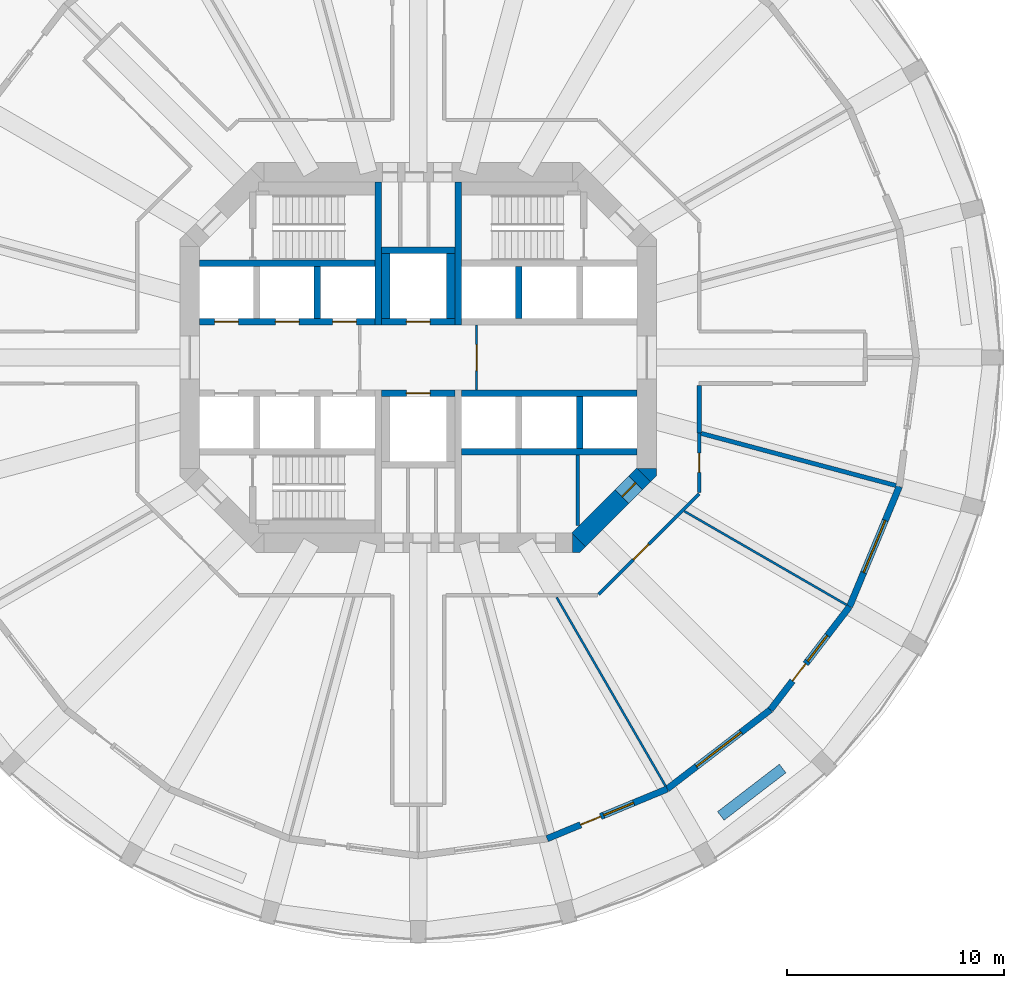
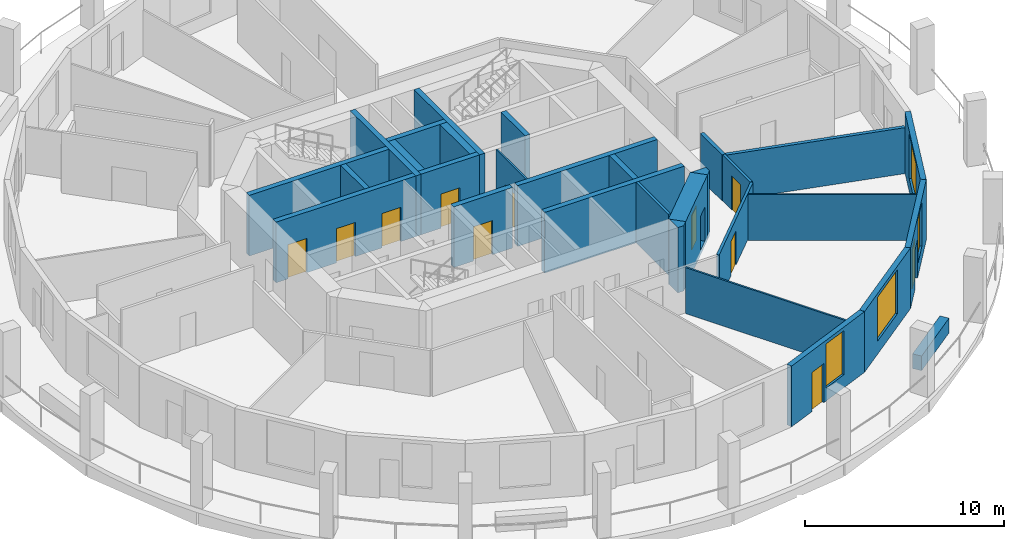
# One storey, part 4 of 9: 30 walls, 11 doors, 4 windows, 15 openings.
"""IFC4 building model written with IfcOpenShell, lengths in metres."""

from ifc_helpers import new_model, si_unit, direction, frame, frame_2d, origin, place, context, subcontext, project, spatial, polyline, rectangle, outline, extrude, material, layer, layer_set, type_object, element, fill, save


model = new_model("IFC4")

# Units and contexts
model_context = context("Model", 3, precision=1e-05, world=origin(), true_north=direction((0.0, 1.0)))
body_context = subcontext(model_context, "Body", "Model", "MODEL_VIEW")
ifc_project = project(units=[si_unit("LENGTHUNIT", "METRE"), si_unit("AREAUNIT", "SQUARE_METRE"), si_unit("VOLUMEUNIT", "CUBIC_METRE"), si_unit("PLANEANGLEUNIT", "RADIAN"), si_unit("MASSUNIT", "GRAM", prefix="KILO")], contexts=[model_context])

# Site, building, storey
site_placement = place(None, origin())
site = spatial("IfcSite", under=ifc_project, at=site_placement, CompositionType="ELEMENT")
building_placement = place(site_placement, origin())
building = spatial("IfcBuilding", under=site, at=building_placement, Name="Torre Triforio", CompositionType="ELEMENT")
storey_placement = place(building_placement, frame((0.0, 0.0, 71.0)))
storey = spatial("IfcBuildingStorey", under=building, at=storey_placement, Name="L15", CompositionType="ELEMENT", Elevation=71.0)

# Walls
ifc_material_1 = material(Name="Concrete C60", Category="concrete")
ifc_layer_1 = layer(ifc_material_1, 0.300048828125)
ifc_layer_set_1 = layer_set([ifc_layer_1], Name="Concrete C60")
wall_type_1 = type_object("IfcWallType", Name="Core wall 300 mm C60 EI 120", PredefinedType="SHEAR", material=ifc_layer_set_1)
for number, where, z_axis, x_axis, name in (
    (1, (-1.85009765625, 1.5, 0.0), (0.0, 0.0, 1.0), (0.0, 1.0, 0.0), "Core wall"),
    (2, (1.85009765625, 1.5, 0.0), (0.0, 0.0, 1.0), (0.0, 1.0, 0.0), "Core wall"),
):
    element("IfcWall", number, at=place(storey_placement, frame(where, z_axis=z_axis, x_axis=x_axis)), inside=storey, type_object=wall_type_1, Name=name, PredefinedType="SHEAR", context=body_context, shape_type="SweptSolid", body=[
        extrude(rectangle(XDim=6.60009765625, YDim=0.300048828125, at=frame_2d((3.300048828125, 0.0))), origin(), (0.0, 0.0, 1.0), 3.719970703125),
    ])

# Wall, opening, door
ifc_layer_2 = layer(ifc_material_1, 0.89990234375)
ifc_layer_set_2 = layer_set([ifc_layer_2], Name="Concrete C60")
wall_type_2 = type_object("IfcWallType", Name="Core wall 900 mm C60 EI 120", PredefinedType="SHEAR", material=ifc_layer_set_2)
wall_1_placement = place(storey_placement, frame((10.418212890625, -5.418212890625, -0.280029296875), z_axis=(0.0, 0.0, 1.0), x_axis=(-0.707106781187, -0.707106781187, 0.0)))
wall_1 = element("IfcWall", 3, at=wall_1_placement, inside=storey, type_object=wall_type_2, Name="Core wall", PredefinedType="SHEAR", context=body_context, shape_type="SweptSolid", body=[
    extrude(rectangle(XDim=4.24267578125, YDim=0.89990234375, at=frame_2d((2.121337890625, 0.0))), origin(), (0.0, 0.0, 1.0), 4.0),
])
opening_1_placement = place(wall_1_placement, frame((0.52001953125, 0.0, 0.280029296875)))
opening_1 = element("IfcOpeningElement", 4, at=opening_1_placement, cuts=wall_1, Name="Opening SE-03", PredefinedType="OPENING", context=body_context, shape_type="SweptSolid", body=[
    extrude(rectangle(XDim=0.89990234375, YDim=2.10009765625, at=frame_2d((0.449951171875, 1.050048828125))), frame((0.0, 0.4599609375, 0.0), z_axis=(0.0, -1.0, 0.0), x_axis=(1.0, 0.0, 0.0)), (0.0, 0.0, 1.0), 0.919921875),
])
ifc_material_2 = material(Name="Hollow metal fire door leaf")
door_type_1 = type_object("IfcDoorType", Name="Room door 900 x 2100 EI 60", OperationType="NOTDEFINED", PredefinedType="DOOR", material=ifc_material_2)
door_1_placement = place(opening_1_placement, origin())
door_1 = element("IfcDoor", 5, at=door_1_placement, inside=storey, type_object=door_type_1, Name="Core door SE-03", OperationType="SINGLE_SWING_RIGHT", OverallHeight=2.10009765625, OverallWidth=0.89990234375, PredefinedType="DOOR", context=body_context, shape_type="SweptSolid", body=[
    extrude(rectangle(XDim=0.89990234375, YDim=2.10009765625, at=frame_2d((0.449951171875, 1.050048828125))), frame((0.0, 0.02490234375, 0.0), z_axis=(0.0, -1.0, 0.0), x_axis=(1.0, 0.0, 0.0)), (0.0, 0.0, 1.0), 0.050048828125),
])
fill(opening_1, door_1)

# Walls
wall_2_placement = place(storey_placement, frame((0.0, 0.0, -0.280029296875)))
element("IfcWall", 6, at=wall_2_placement, inside=storey, type_object=wall_type_2, Name="Core wall", PredefinedType="SHEAR", context=body_context, shape_type="SweptSolid", body=[
    extrude(outline(polyline([(7.472900390625, -9.0), (7.1298828125, -9.0), (7.1298828125, -8.1298828125), (7.736328125, -8.736328125), (7.472900390625, -9.0)])), origin(), (0.0, 0.0, 1.0), 4.0),
])
wall_3_placement = place(storey_placement, frame((0.0, 0.0, -0.280029296875)))
element("IfcWall", 7, at=wall_3_placement, inside=storey, type_object=wall_type_2, Name="Core wall", PredefinedType="SHEAR", context=body_context, shape_type="SweptSolid", body=[
    extrude(outline(polyline([(11.0, -5.472900390625), (10.736328125, -5.736328125), (10.1298828125, -5.1298828125), (11.0, -5.1298828125), (11.0, -5.472900390625)])), origin(), (0.0, 0.0, 1.0), 4.0),
])

# Wall, opening, door
ifc_material_3 = material(Name="Plasterboard on metal studs")
ifc_layer_3 = layer(ifc_material_3, 0.14990234375)
ifc_layer_set_3 = layer_set([ifc_layer_3], Name="Plasterboard on metal studs")
wall_type_3 = type_object("IfcWallType", Name="Corridor and tenancy wall 150 mm EI 60", PredefinedType="PARTITIONING", material=ifc_layer_set_3)
wall_4_placement = place(storey_placement, frame((12.97509765625, -3.4765625, 0.0), z_axis=(0.0, 0.0, 1.0), x_axis=(0.0, -1.0, 0.0)))
wall_4 = element("IfcWall", 8, at=wall_4_placement, inside=storey, type_object=wall_type_3, Name="Partition 24", PredefinedType="PARTITIONING", context=body_context, shape_type="SweptSolid", body=[
    extrude(rectangle(XDim=2.76171875, YDim=0.14990234375, at=frame_2d((1.380859375, 0.0))), origin(), (0.0, 0.0, 1.0), 2.820068359375),
])
opening_2_placement = place(wall_4_placement, frame((0.930908203125, 0.0, 0.0)))
opening_2 = element("IfcOpeningElement", 9, at=opening_2_placement, cuts=wall_4, Name="Opening N5-13", PredefinedType="OPENING", context=body_context, shape_type="SweptSolid", body=[
    extrude(rectangle(XDim=0.89990234375, YDim=2.10009765625, at=frame_2d((0.449951171875, 1.050048828125))), frame((0.0, 0.0849609375, 0.0), z_axis=(0.0, -1.0, 0.0), x_axis=(1.0, 0.0, 0.0)), (0.0, 0.0, 1.0), 0.169921875),
])
ifc_material_4 = material(Name="Timber", Category="wood")
door_type_2 = type_object("IfcDoorType", Name="Door 900 x 2100 single leaf EI 30", OperationType="NOTDEFINED", PredefinedType="DOOR", material=ifc_material_4)
door_2_placement = place(opening_2_placement, origin())
door_2 = element("IfcDoor", 10, at=door_2_placement, inside=storey, type_object=door_type_2, Name="Door N5-13", OperationType="SINGLE_SWING_LEFT", OverallHeight=2.10009765625, OverallWidth=0.89990234375, PredefinedType="DOOR", context=body_context, shape_type="SweptSolid", body=[
    extrude(rectangle(XDim=0.89990234375, YDim=2.10009765625, at=frame_2d((0.449951171875, 1.050048828125))), frame((0.0, 0.02490234375, 0.0), z_axis=(0.0, -1.0, 0.0), x_axis=(1.0, 0.0, 0.0)), (0.0, 0.0, 1.0), 0.050048828125),
])
fill(opening_2, door_2)

wall_5_placement = place(storey_placement, frame((12.97509765625, -6.291015625, 0.0), z_axis=(0.0, 0.0, 1.0), x_axis=(-0.707125355289, -0.707088206597, 0.0)))
wall_5 = element("IfcWall", 11, at=wall_5_placement, inside=storey, type_object=wall_type_3, Name="Partition 25", PredefinedType="PARTITIONING", context=body_context, shape_type="SweptSolid", body=[
    extrude(rectangle(XDim=6.572021484375, YDim=0.14990234375, at=frame_2d((3.2861328125, 0.0))), origin(), (0.0, 0.0, 1.0), 2.820068359375),
])
opening_3_placement = place(wall_5_placement, frame((3.298095703125, 0.0, 0.0)))
opening_3 = element("IfcOpeningElement", 12, at=opening_3_placement, cuts=wall_5, Name="Opening N5-12", PredefinedType="OPENING", context=body_context, shape_type="SweptSolid", body=[
    extrude(rectangle(XDim=1.0, YDim=2.10009765625, at=frame_2d((0.5, 1.050048828125))), frame((0.0, 0.0849609375, 0.0), z_axis=(0.0, -1.0, 0.0), x_axis=(1.0, 0.0, 0.0)), (0.0, 0.0, 1.0), 0.169921875),
])
door_type_3 = type_object("IfcDoorType", Name="Door 1000 x 2100 single leaf EI 30", OperationType="NOTDEFINED", PredefinedType="DOOR", material=ifc_material_4)
door_3_placement = place(opening_3_placement, origin())
door_3 = element("IfcDoor", 13, at=door_3_placement, inside=storey, type_object=door_type_3, Name="Door N5-12", OperationType="SINGLE_SWING_RIGHT", OverallHeight=2.10009765625, OverallWidth=1.0, PredefinedType="DOOR", context=body_context, shape_type="SweptSolid", body=[
    extrude(rectangle(XDim=1.0, YDim=2.10009765625, at=frame_2d((0.5, 1.050048828125))), frame((0.0, 0.02490234375, 0.0), z_axis=(0.0, -1.0, 0.0), x_axis=(1.0, 0.0, 0.0)), (0.0, 0.0, 1.0), 0.050048828125),
])
fill(opening_3, door_3)

ifc_material_5 = material(Name="Block and board partition")
ifc_layer_4 = layer(ifc_material_5, 0.10009765625)
ifc_layer_set_4 = layer_set([ifc_layer_4], Name="Block and board partition")
wall_type_4 = type_object("IfcWallType", Name="Partition 100 mm EI 120", PredefinedType="PARTITIONING", material=ifc_layer_set_4)
wall_6_placement = place(storey_placement, frame((2.699951171875, -1.5, 0.0), z_axis=(0.0, 0.0, 1.0), x_axis=(0.0, 1.0, 0.0)))
wall_6 = element("IfcWall", 14, at=wall_6_placement, inside=storey, type_object=wall_type_4, Name="Partition", PredefinedType="PARTITIONING", context=body_context, shape_type="SweptSolid", body=[
    extrude(rectangle(XDim=3.0, YDim=0.10009765625, at=frame_2d((1.5, 0.0))), origin(), (0.0, 0.0, 1.0), 3.719970703125),
])
opening_4_placement = place(wall_6_placement, frame((0.89990234375, 0.0, 0.0)))
opening_4 = element("IfcOpeningElement", 15, at=opening_4_placement, cuts=wall_6, Name="Opening FF-E", PredefinedType="OPENING", context=body_context, shape_type="SweptSolid", body=[
    extrude(rectangle(XDim=1.199951171875, YDim=2.10009765625, at=frame_2d((0.60009765625, 1.050048828125))), frame((0.0, 0.06005859375, 0.0), z_axis=(0.0, -1.0, 0.0), x_axis=(1.0, 0.0, 0.0)), (0.0, 0.0, 1.0), 0.1201171875),
])
door_type_4 = type_object("IfcDoorType", Name="Fire-fighting lobby door 1200 x 2100 EI 60", OperationType="NOTDEFINED", PredefinedType="DOOR", material=ifc_material_2)
door_4_placement = place(opening_4_placement, origin())
door_4 = element("IfcDoor", 16, at=door_4_placement, inside=storey, type_object=door_type_4, Name="Core door FF-E", OperationType="SINGLE_SWING_RIGHT", OverallHeight=2.10009765625, OverallWidth=1.199951171875, PredefinedType="DOOR", context=body_context, shape_type="SweptSolid", body=[
    extrude(rectangle(XDim=1.199951171875, YDim=2.10009765625, at=frame_2d((0.60009765625, 1.050048828125))), frame((0.0, 0.02490234375, 0.0), z_axis=(0.0, -1.0, 0.0), x_axis=(1.0, 0.0, 0.0)), (0.0, 0.0, 1.0), 0.050048828125),
])
fill(opening_4, door_4)

# Walls
ifc_layer_5 = layer(ifc_material_3, 0.10009765625)
ifc_layer_set_5 = layer_set([ifc_layer_5], Name="Plasterboard on metal studs")
wall_type_5 = type_object("IfcWallType", Name="Partition 100 mm board on metal studs", PredefinedType="PARTITIONING", material=ifc_layer_set_5)
wall_7_placement = place(storey_placement, frame((6.393798828125, -11.07470703125, 0.0), z_axis=(0.0, 0.0, 1.0), x_axis=(0.500024592647, -0.866011204747, 0.0)))
element("IfcWall", 17, at=wall_7_placement, inside=storey, type_object=wall_type_5, Name="Partition 44", PredefinedType="PARTITIONING", context=body_context, shape_type="SweptSolid", body=[
    extrude(rectangle(XDim=10.048828125, YDim=0.10009765625, at=frame_2d((5.0244140625, 0.0))), origin(), (0.0, 0.0, 1.0), 2.820068359375),
])
wall_8_placement = place(storey_placement, frame((12.294189453125, -7.097900390625, 0.0), z_axis=(0.0, 0.0, 1.0), x_axis=(0.866010547425, -0.500025731086, 0.0)))
element("IfcWall", 18, at=wall_8_placement, inside=storey, type_object=wall_type_5, Name="Partition 45", PredefinedType="PARTITIONING", context=body_context, shape_type="SweptSolid", body=[
    extrude(rectangle(XDim=8.640625, YDim=0.10009765625, at=frame_2d((4.3203125, 0.0))), origin(), (0.0, 0.0, 1.0), 2.820068359375),
])
ifc_layer_6 = layer(ifc_material_5, 0.14990234375)
ifc_layer_set_6 = layer_set([ifc_layer_6], Name="Block and board partition")
wall_type_6 = type_object("IfcWallType", Name="Partition 150 mm", PredefinedType="PARTITIONING", material=ifc_layer_set_6)
wall_9_placement = place(storey_placement, frame((7.373046875, -7.751953125, 0.0), z_axis=(0.0, 0.0, 1.0), x_axis=(0.0, 1.0, 0.0)))
element("IfcWall", 19, at=wall_9_placement, inside=storey, type_object=wall_type_6, Name="Partition", PredefinedType="PARTITIONING", context=body_context, shape_type="SweptSolid", body=[
    extrude(rectangle(XDim=3.251953125, YDim=0.14990234375, at=frame_2d((1.6259765625, 0.0))), origin(), (0.0, 0.0, 1.0), 3.719970703125),
])
ifc_material_6 = material(Name="Masonry block", Category="masonry")
ifc_layer_7 = layer(ifc_material_6, 0.199951171875)
ifc_layer_set_7 = layer_set([ifc_layer_7], Name="Masonry block")
wall_type_7 = type_object("IfcWallType", Name="Plant room wall 200 mm block EI 120", PredefinedType="PARTITIONING", material=ifc_layer_set_7)
wall_10_placement = place(storey_placement, frame((12.97509765625, -1.300048828125, 0.0), z_axis=(0.0, 0.0, 1.0), x_axis=(0.0, -1.0, 0.0)))
element("IfcWall", 20, at=wall_10_placement, inside=storey, type_object=wall_type_7, Name="Partition 23", PredefinedType="PARTITIONING", context=body_context, shape_type="SweptSolid", body=[
    extrude(rectangle(XDim=2.176513671875, YDim=0.199951171875, at=frame_2d((1.08837890625, 0.0))), origin(), (0.0, 0.0, 1.0), 2.820068359375),
])
wall_11_placement = place(storey_placement, frame((13.076416015625, -3.50390625, 0.0), z_axis=(0.0, 0.0, 1.0), x_axis=(0.965926605639, -0.258816136511, 0.0)))
element("IfcWall", 21, at=wall_11_placement, inside=storey, type_object=wall_type_7, Name="Partition 46", PredefinedType="PARTITIONING", context=body_context, shape_type="SweptSolid", body=[
    extrude(rectangle(XDim=9.299072265625, YDim=0.199951171875, at=frame_2d((4.6494140625, 0.0))), origin(), (0.0, 0.0, 1.0), 2.820068359375),
])
ifc_material_7 = material(Name="Limestone cladding", Category="masonry")
ifc_layer_8 = layer(ifc_material_7, 0.10009765625)
ifc_material_8 = material(Name="Concrete C40", Category="concrete")
ifc_layer_9 = layer(ifc_material_8, 0.39990234375)
ifc_layer_set_8 = layer_set([ifc_layer_8, ifc_layer_9], Name="Limestone cladding / Concrete C40")
wall_type_8 = type_object("IfcWallType", Name="Planter wall 500", PredefinedType="PARAPET", material=ifc_layer_set_8)
wall_12_placement = place(storey_placement, frame((13.9736328125, -21.16748046875, 0.0), z_axis=(0.0, 0.0, 1.0), x_axis=(0.793359599829, 0.608753271334, 0.0)))
element("IfcWall", 22, at=wall_12_placement, inside=storey, type_object=wall_type_8, Name="Planter L15 bay 21", PredefinedType="PARAPET", context=body_context, shape_type="SweptSolid", body=[
    extrude(rectangle(XDim=3.599853515625, YDim=0.5, at=frame_2d((1.7998046875, 0.0))), origin(), (0.0, 0.0, 1.0), 0.89990234375),
])
ifc_layer_10 = layer(ifc_material_1, 0.300048828125)
ifc_layer_set_9 = layer_set([ifc_layer_10], Name="Concrete C60")
wall_type_9 = type_object("IfcWallType", Name="Shaft wall 300 mm C60 EI 120", PredefinedType="SOLIDWALL", material=ifc_layer_set_9)
for number, where, z_axis, x_axis, name in (
    (23, (-10.10009765625, 4.35009765625, 0.0), (0.0, 0.0, 1.0), (1.0, 0.0, 0.0), "Shaft wall"),
    (24, (2.0, -4.35009765625, 0.0), (0.0, 0.0, 1.0), (1.0, 0.0, 0.0), "Shaft wall"),
):
    element("IfcWall", number, at=place(storey_placement, frame(where, z_axis=z_axis, x_axis=x_axis)), inside=storey, type_object=wall_type_9, Name=name, PredefinedType="SOLIDWALL", context=body_context, shape_type="SweptSolid", body=[
        extrude(rectangle(XDim=8.10009765625, YDim=0.300048828125, at=frame_2d((4.050048828125, 0.0))), origin(), (0.0, 0.0, 1.0), 3.719970703125),
    ])

# Wall, openings, doors
wall_13_placement = place(storey_placement, frame((-10.10009765625, 1.64990234375, 0.0), z_axis=(0.0, 0.0, 1.0), x_axis=(1.0, 0.0, 0.0)))
wall_13 = element("IfcWall", 25, at=wall_13_placement, inside=storey, type_object=wall_type_9, Name="Shaft wall", PredefinedType="SOLIDWALL", context=body_context, shape_type="SweptSolid", body=[
    extrude(rectangle(XDim=8.10009765625, YDim=0.300048828125, at=frame_2d((4.050048828125, 0.0))), origin(), (0.0, 0.0, 1.0), 3.719970703125),
])
opening_5_placement = place(wall_13_placement, frame((0.699951171875, 0.0, 0.0)))
opening_5 = element("IfcOpeningElement", 26, at=opening_5_placement, cuts=wall_13, Name="Opening LD", PredefinedType="OPENING", context=body_context, shape_type="SweptSolid", body=[
    extrude(rectangle(XDim=1.10009765625, YDim=2.10009765625, at=frame_2d((0.550048828125, 1.050048828125))), frame((0.0, 0.159912109375, 0.0), z_axis=(0.0, -1.0, 0.0), x_axis=(1.0, 0.0, 0.0)), (0.0, 0.0, 1.0), 0.320068359375),
])
opening_6_placement = place(wall_13_placement, frame((3.5, 0.0, 0.0)))
opening_6 = element("IfcOpeningElement", 27, at=opening_6_placement, cuts=wall_13, Name="Opening LD", PredefinedType="OPENING", context=body_context, shape_type="SweptSolid", body=[
    extrude(rectangle(XDim=1.10009765625, YDim=2.10009765625, at=frame_2d((0.550048828125, 1.050048828125))), frame((0.0, 0.159912109375, 0.0), z_axis=(0.0, -1.0, 0.0), x_axis=(1.0, 0.0, 0.0)), (0.0, 0.0, 1.0), 0.320068359375),
])
opening_7_placement = place(wall_13_placement, frame((6.14990234375, 0.0, 0.0)))
opening_7 = element("IfcOpeningElement", 28, at=opening_7_placement, cuts=wall_13, Name="Opening LD", PredefinedType="OPENING", context=body_context, shape_type="SweptSolid", body=[
    extrude(rectangle(XDim=1.10009765625, YDim=2.10009765625, at=frame_2d((0.550048828125, 1.050048828125))), frame((0.0, 0.159912109375, 0.0), z_axis=(0.0, -1.0, 0.0), x_axis=(1.0, 0.0, 0.0)), (0.0, 0.0, 1.0), 0.320068359375),
])
door_type_5 = type_object("IfcDoorType", Name="Landing door 1100 x 2100 EI 60", OperationType="DOUBLE_DOOR_SLIDING", PredefinedType="DOOR", material=ifc_material_2)
door_5_placement = place(opening_5_placement, origin())
door_5 = element("IfcDoor", 29, at=door_5_placement, inside=storey, type_object=door_type_5, Name="Landing door LR1", OperationType="DOUBLE_DOOR_SLIDING", OverallHeight=2.10009765625, OverallWidth=1.10009765625, PredefinedType="DOOR", context=body_context, shape_type="SweptSolid", body=[
    extrude(rectangle(XDim=1.10009765625, YDim=2.10009765625, at=frame_2d((0.550048828125, 1.050048828125))), frame((0.0, 0.02490234375, 0.0), z_axis=(0.0, -1.0, 0.0), x_axis=(1.0, 0.0, 0.0)), (0.0, 0.0, 1.0), 0.050048828125),
])
fill(opening_5, door_5)
door_6_placement = place(opening_6_placement, origin())
door_6 = element("IfcDoor", 30, at=door_6_placement, inside=storey, type_object=door_type_5, Name="Landing door LR2", OperationType="DOUBLE_DOOR_SLIDING", OverallHeight=2.10009765625, OverallWidth=1.10009765625, PredefinedType="DOOR", context=body_context, shape_type="SweptSolid", body=[
    extrude(rectangle(XDim=1.10009765625, YDim=2.10009765625, at=frame_2d((0.550048828125, 1.050048828125))), frame((0.0, 0.02490234375, 0.0), z_axis=(0.0, -1.0, 0.0), x_axis=(1.0, 0.0, 0.0)), (0.0, 0.0, 1.0), 0.050048828125),
])
fill(opening_6, door_6)
door_7_placement = place(opening_7_placement, origin())
door_7 = element("IfcDoor", 31, at=door_7_placement, inside=storey, type_object=door_type_5, Name="Landing door LR3", OperationType="DOUBLE_DOOR_SLIDING", OverallHeight=2.10009765625, OverallWidth=1.10009765625, PredefinedType="DOOR", context=body_context, shape_type="SweptSolid", body=[
    extrude(rectangle(XDim=1.10009765625, YDim=2.10009765625, at=frame_2d((0.550048828125, 1.050048828125))), frame((0.0, 0.02490234375, 0.0), z_axis=(0.0, -1.0, 0.0), x_axis=(1.0, 0.0, 0.0)), (0.0, 0.0, 1.0), 0.050048828125),
])
fill(opening_7, door_7)

# Walls
wall_14_placement = place(storey_placement, frame((2.0, -1.64990234375, 0.0), z_axis=(0.0, 0.0, 1.0), x_axis=(1.0, 0.0, 0.0)))
element("IfcWall", 32, at=wall_14_placement, inside=storey, type_object=wall_type_9, Name="Shaft wall", PredefinedType="SOLIDWALL", context=body_context, shape_type="SweptSolid", body=[
    extrude(rectangle(XDim=8.10009765625, YDim=0.300048828125, at=frame_2d((4.050048828125, 0.0))), origin(), (0.0, 0.0, 1.0), 3.719970703125),
])
for number, where, z_axis, x_axis, name in (
    (33, (-4.64990234375, 1.800048828125, 0.0), (0.0, 0.0, 1.0), (0.0, 1.0, 0.0), "Shaft wall"),
    (34, (4.64990234375, 1.800048828125, 0.0), (0.0, 0.0, 1.0), (0.0, 1.0, 0.0), "Shaft wall"),
    (35, (7.449951171875, -4.199951171875, 0.0), (0.0, 0.0, 1.0), (0.0, 1.0, 0.0), "Shaft wall"),
):
    element("IfcWall", number, at=place(storey_placement, frame(where, z_axis=z_axis, x_axis=x_axis)), inside=storey, type_object=wall_type_9, Name=name, PredefinedType="SOLIDWALL", context=body_context, shape_type="SweptSolid", body=[
        extrude(rectangle(XDim=2.39990234375, YDim=0.300048828125, at=frame_2d((1.199951171875, 0.0))), origin(), (0.0, 0.0, 1.0), 3.719970703125),
    ])

# Wall, opening, door
wall_15_placement = place(storey_placement, frame((-1.699951171875, 1.64990234375, 0.0), z_axis=(0.0, 0.0, 1.0), x_axis=(1.0, 0.0, 0.0)))
wall_15 = element("IfcWall", 36, at=wall_15_placement, inside=storey, type_object=wall_type_9, Name="Shaft wall", PredefinedType="SOLIDWALL", context=body_context, shape_type="SweptSolid", body=[
    extrude(rectangle(XDim=3.39990234375, YDim=0.300048828125, at=frame_2d((1.699951171875, 0.0))), origin(), (0.0, 0.0, 1.0), 3.719970703125),
])
opening_8_placement = place(wall_15_placement, frame((1.14990234375, 0.0, 0.0)))
opening_8 = element("IfcOpeningElement", 37, at=opening_8_placement, cuts=wall_15, Name="Opening LD", PredefinedType="OPENING", context=body_context, shape_type="SweptSolid", body=[
    extrude(rectangle(XDim=1.10009765625, YDim=2.10009765625, at=frame_2d((0.550048828125, 1.050048828125))), frame((0.0, 0.159912109375, 0.0), z_axis=(0.0, -1.0, 0.0), x_axis=(1.0, 0.0, 0.0)), (0.0, 0.0, 1.0), 0.320068359375),
])
door_8_placement = place(opening_8_placement, origin())
door_8 = element("IfcDoor", 38, at=door_8_placement, inside=storey, type_object=door_type_5, Name="Landing door FFL1", OperationType="DOUBLE_DOOR_SLIDING", OverallHeight=2.10009765625, OverallWidth=1.10009765625, PredefinedType="DOOR", context=body_context, shape_type="SweptSolid", body=[
    extrude(rectangle(XDim=1.10009765625, YDim=2.10009765625, at=frame_2d((0.550048828125, 1.050048828125))), frame((0.0, 0.02490234375, 0.0), z_axis=(0.0, -1.0, 0.0), x_axis=(1.0, 0.0, 0.0)), (0.0, 0.0, 1.0), 0.050048828125),
])
fill(opening_8, door_8)

wall_16_placement = place(storey_placement, frame((-1.699951171875, -1.64990234375, 0.0), z_axis=(0.0, 0.0, 1.0), x_axis=(1.0, 0.0, 0.0)))
wall_16 = element("IfcWall", 39, at=wall_16_placement, inside=storey, type_object=wall_type_9, Name="Shaft wall", PredefinedType="SOLIDWALL", context=body_context, shape_type="SweptSolid", body=[
    extrude(rectangle(XDim=3.39990234375, YDim=0.300048828125, at=frame_2d((1.699951171875, 0.0))), origin(), (0.0, 0.0, 1.0), 3.719970703125),
])
opening_9_placement = place(wall_16_placement, frame((1.14990234375, 0.0, 0.0)))
opening_9 = element("IfcOpeningElement", 40, at=opening_9_placement, cuts=wall_16, Name="Opening LD", PredefinedType="OPENING", context=body_context, shape_type="SweptSolid", body=[
    extrude(rectangle(XDim=1.10009765625, YDim=2.10009765625, at=frame_2d((0.550048828125, 1.050048828125))), frame((0.0, 0.159912109375, 0.0), z_axis=(0.0, -1.0, 0.0), x_axis=(1.0, 0.0, 0.0)), (0.0, 0.0, 1.0), 0.320068359375),
])
door_9_placement = place(opening_9_placement, origin())
door_9 = element("IfcDoor", 41, at=door_9_placement, inside=storey, type_object=door_type_5, Name="Landing door FFL2", OperationType="DOUBLE_DOOR_SLIDING", OverallHeight=2.10009765625, OverallWidth=1.10009765625, PredefinedType="DOOR", context=body_context, shape_type="SweptSolid", body=[
    extrude(rectangle(XDim=1.10009765625, YDim=2.10009765625, at=frame_2d((0.550048828125, 1.050048828125))), frame((0.0, 0.02490234375, 0.0), z_axis=(0.0, -1.0, 0.0), x_axis=(1.0, 0.0, 0.0)), (0.0, 0.0, 1.0), 0.050048828125),
])
fill(opening_9, door_9)

# Walls
wall_17_placement = place(storey_placement, frame((-1.699951171875, 4.949951171875, 0.0), z_axis=(0.0, 0.0, 1.0), x_axis=(1.0, 0.0, 0.0)))
element("IfcWall", 42, at=wall_17_placement, inside=storey, type_object=wall_type_9, Name="Shaft wall", PredefinedType="SOLIDWALL", context=body_context, shape_type="SweptSolid", body=[
    extrude(rectangle(XDim=3.39990234375, YDim=0.300048828125, at=frame_2d((1.699951171875, 0.0))), origin(), (0.0, 0.0, 1.0), 3.719970703125),
])
ifc_layer_11 = layer(ifc_material_1, 0.39990234375)
ifc_layer_set_10 = layer_set([ifc_layer_11], Name="Concrete C60")
wall_type_10 = type_object("IfcWallType", Name="Shaft wall 400 mm C60 EI 120", PredefinedType="SOLIDWALL", material=ifc_layer_set_10)
for number, where, z_axis, x_axis, name in (
    (43, (-1.5, 1.800048828125, 0.0), (0.0, 0.0, 1.0), (0.0, 1.0, 0.0), "Shaft wall"),
    (44, (1.5, 1.800048828125, 0.0), (0.0, 0.0, 1.0), (0.0, 1.0, 0.0), "Shaft wall"),
):
    element("IfcWall", number, at=place(storey_placement, frame(where, z_axis=z_axis, x_axis=x_axis)), inside=storey, type_object=wall_type_10, Name=name, PredefinedType="SOLIDWALL", context=body_context, shape_type="SweptSolid", body=[
        extrude(rectangle(XDim=3.0, YDim=0.39990234375, at=frame_2d((1.5, 0.0))), origin(), (0.0, 0.0, 1.0), 3.719970703125),
    ])

# Wall, openings, door, window
ifc_layer_12 = layer(ifc_material_7, 0.10009765625)
ifc_layer_13 = layer(ifc_material_8, 0.199951171875)
ifc_layer_set_11 = layer_set([ifc_layer_12, ifc_layer_13], Name="Limestone cladding / Concrete C40")
wall_type_11 = type_object("IfcWallType", Name="Stone-faced composite wall 300", PredefinedType="STANDARD", material=ifc_layer_set_11)
wall_18_placement = place(storey_placement, frame((5.952880859375, -22.21630859375, 0.0), z_axis=(0.0, 0.0, 1.0), x_axis=(0.923884511653, 0.382671411433, 0.0)))
wall_18 = element("IfcWall", 45, at=wall_18_placement, inside=storey, type_object=wall_type_11, Name="External wall L15 bay 20", PredefinedType="STANDARD", context=body_context, shape_type="SweptSolid", body=[
    extrude(rectangle(XDim=6.004150390625, YDim=0.300048828125, at=frame_2d((3.001953125, 0.0))), origin(), (0.0, 0.0, 1.0), 3.719970703125),
])
opening_10_placement = place(wall_18_placement, frame((1.677001953125, 0.0, 0.0)))
opening_10 = element("IfcOpeningElement", 46, at=opening_10_placement, cuts=wall_18, Name="Opening N5-D20", PredefinedType="OPENING", context=body_context, shape_type="SweptSolid", body=[
    extrude(rectangle(XDim=1.0, YDim=2.39990234375, at=frame_2d((0.5, 1.199951171875))), frame((0.0, 0.159912109375, 0.0), z_axis=(0.0, -1.0, 0.0), x_axis=(1.0, 0.0, 0.0)), (0.0, 0.0, 1.0), 0.320068359375),
])
opening_11_placement = place(wall_18_placement, frame((2.8271484375, 0.0, 0.800048828125)))
opening_11 = element("IfcOpeningElement", 47, at=opening_11_placement, cuts=wall_18, Name="Opening N5-W20A", PredefinedType="OPENING", context=body_context, shape_type="SweptSolid", body=[
    extrude(rectangle(XDim=1.5, YDim=2.699951171875, at=frame_2d((0.75, 1.35009765625))), frame((0.0, 0.159912109375, 0.0), z_axis=(0.0, -1.0, 0.0), x_axis=(1.0, 0.0, 0.0)), (0.0, 0.0, 1.0), 0.320068359375),
])
ifc_material_9 = material(Name="Aluminium frame with clear double glazing", Category="aluminium")
door_type_6 = type_object("IfcDoorType", Name="Loggia door 1000 x 2400", OperationType="NOTDEFINED", PredefinedType="DOOR", material=ifc_material_9)
door_10_placement = place(opening_10_placement, origin())
door_10 = element("IfcDoor", 48, at=door_10_placement, inside=storey, type_object=door_type_6, Name="Loggia door L15 bay 20", OperationType="SINGLE_SWING_LEFT", OverallHeight=2.39990234375, OverallWidth=1.0, PredefinedType="DOOR", context=body_context, shape_type="SweptSolid", body=[
    extrude(rectangle(XDim=1.0, YDim=2.39990234375, at=frame_2d((0.5, 1.199951171875))), frame((0.0, 0.02490234375, 0.0), z_axis=(0.0, -1.0, 0.0), x_axis=(1.0, 0.0, 0.0)), (0.0, 0.0, 1.0), 0.050048828125),
])
fill(opening_10, door_10)
window_type_1 = type_object("IfcWindowType", Name="Side window 1500 x 2700", PartitioningType="SINGLE_PANEL", PredefinedType="WINDOW", material=ifc_material_9)
window_1_placement = place(opening_11_placement, origin())
window_1 = element("IfcWindow", 49, at=window_1_placement, inside=storey, type_object=window_type_1, Name="Side window EWN12 L15 bay 20", OverallHeight=2.699951171875, OverallWidth=1.5, PartitioningType="SINGLE_PANEL", PredefinedType="WINDOW", context=body_context, shape_type="SweptSolid", body=[
    extrude(rectangle(XDim=1.5, YDim=2.699951171875, at=frame_2d((0.75, 1.35009765625))), frame((0.0, 0.030029296875, 0.0), z_axis=(0.0, -1.0, 0.0), x_axis=(1.0, 0.0, 0.0)), (0.0, 0.0, 1.0), 0.06005859375),
])
fill(opening_11, window_1)

# Wall, opening, window
wall_19_placement = place(storey_placement, frame((11.5, -19.918701171875, 0.0), z_axis=(0.0, 0.0, 1.0), x_axis=(0.793339924758, 0.608778912074, 0.0)))
wall_19 = element("IfcWall", 50, at=wall_19_placement, inside=storey, type_object=wall_type_11, Name="External wall L15 bay 21", PredefinedType="STANDARD", context=body_context, shape_type="SweptSolid", body=[
    extrude(rectangle(XDim=6.004150390625, YDim=0.300048828125, at=frame_2d((3.001953125, 0.0))), origin(), (0.0, 0.0, 1.0), 3.719970703125),
])
opening_12_placement = place(wall_19_placement, frame((1.7021484375, 0.0, 0.800048828125)))
opening_12 = element("IfcOpeningElement", 51, at=opening_12_placement, cuts=wall_19, Name="Opening N5-W21", PredefinedType="OPENING", context=body_context, shape_type="SweptSolid", body=[
    extrude(rectangle(XDim=2.60009765625, YDim=2.699951171875, at=frame_2d((1.300048828125, 1.35009765625))), frame((0.0, 0.159912109375, 0.0), z_axis=(0.0, -1.0, 0.0), x_axis=(1.0, 0.0, 0.0)), (0.0, 0.0, 1.0), 0.320068359375),
])
window_type_2 = type_object("IfcWindowType", Name="Punched window 2600 x 2700", PartitioningType="DOUBLE_PANEL_VERTICAL", PredefinedType="WINDOW", material=ifc_material_9)
window_2_placement = place(opening_12_placement, origin())
window_2 = element("IfcWindow", 52, at=window_2_placement, inside=storey, type_object=window_type_2, Name="Window EWN2 L15 bay 21", OverallHeight=2.699951171875, OverallWidth=2.60009765625, PartitioningType="SINGLE_PANEL", PredefinedType="WINDOW", context=body_context, shape_type="SweptSolid", body=[
    extrude(rectangle(XDim=2.60009765625, YDim=2.699951171875, at=frame_2d((1.300048828125, 1.35009765625))), frame((0.0, 0.030029296875, 0.0), z_axis=(0.0, -1.0, 0.0), x_axis=(1.0, 0.0, 0.0)), (0.0, 0.0, 1.0), 0.06005859375),
])
fill(opening_12, window_2)

# Wall, openings, door, window
wall_20_placement = place(storey_placement, frame((16.263427734375, -16.263427734375, 0.0), z_axis=(0.0, 0.0, 1.0), x_axis=(0.608778912074, 0.793339924758, 0.0)))
wall_20 = element("IfcWall", 53, at=wall_20_placement, inside=storey, type_object=wall_type_11, Name="External wall L15 bay 22", PredefinedType="STANDARD", context=body_context, shape_type="SweptSolid", body=[
    extrude(rectangle(XDim=6.004150390625, YDim=0.300048828125, at=frame_2d((3.001953125, 0.0))), origin(), (0.0, 0.0, 1.0), 3.719970703125),
])
opening_13_placement = place(wall_20_placement, frame((1.677001953125, 0.0, 0.0)))
opening_13 = element("IfcOpeningElement", 54, at=opening_13_placement, cuts=wall_20, Name="Opening N5-D22", PredefinedType="OPENING", context=body_context, shape_type="SweptSolid", body=[
    extrude(rectangle(XDim=1.0, YDim=2.39990234375, at=frame_2d((0.5, 1.199951171875))), frame((0.0, 0.159912109375, 0.0), z_axis=(0.0, -1.0, 0.0), x_axis=(1.0, 0.0, 0.0)), (0.0, 0.0, 1.0), 0.320068359375),
])
opening_14_placement = place(wall_20_placement, frame((2.8271484375, 0.0, 0.800048828125)))
opening_14 = element("IfcOpeningElement", 55, at=opening_14_placement, cuts=wall_20, Name="Opening N5-W22A", PredefinedType="OPENING", context=body_context, shape_type="SweptSolid", body=[
    extrude(rectangle(XDim=1.5, YDim=2.699951171875, at=frame_2d((0.75, 1.35009765625))), frame((0.0, 0.159912109375, 0.0), z_axis=(0.0, -1.0, 0.0), x_axis=(1.0, 0.0, 0.0)), (0.0, 0.0, 1.0), 0.320068359375),
])
door_11_placement = place(opening_13_placement, origin())
door_11 = element("IfcDoor", 56, at=door_11_placement, inside=storey, type_object=door_type_6, Name="Loggia door L15 bay 22", OperationType="SINGLE_SWING_LEFT", OverallHeight=2.39990234375, OverallWidth=1.0, PredefinedType="DOOR", context=body_context, shape_type="SweptSolid", body=[
    extrude(rectangle(XDim=1.0, YDim=2.39990234375, at=frame_2d((0.5, 1.199951171875))), frame((0.0, 0.02490234375, 0.0), z_axis=(0.0, -1.0, 0.0), x_axis=(1.0, 0.0, 0.0)), (0.0, 0.0, 1.0), 0.050048828125),
])
fill(opening_13, door_11)
window_3_placement = place(opening_14_placement, origin())
window_3 = element("IfcWindow", 57, at=window_3_placement, inside=storey, type_object=window_type_1, Name="Side window EWN12 L15 bay 22", OverallHeight=2.699951171875, OverallWidth=1.5, PartitioningType="SINGLE_PANEL", PredefinedType="WINDOW", context=body_context, shape_type="SweptSolid", body=[
    extrude(rectangle(XDim=1.5, YDim=2.699951171875, at=frame_2d((0.75, 1.35009765625))), frame((0.0, 0.030029296875, 0.0), z_axis=(0.0, -1.0, 0.0), x_axis=(1.0, 0.0, 0.0)), (0.0, 0.0, 1.0), 0.06005859375),
])
fill(opening_14, window_3)

# Wall, opening, window
wall_21_placement = place(storey_placement, frame((19.918701171875, -11.5, 0.0), z_axis=(0.0, 0.0, 1.0), x_axis=(0.382671411433, 0.923884511653, 0.0)))
wall_21 = element("IfcWall", 58, at=wall_21_placement, inside=storey, type_object=wall_type_11, Name="External wall L15 bay 23", PredefinedType="STANDARD", context=body_context, shape_type="SweptSolid", body=[
    extrude(rectangle(XDim=6.004150390625, YDim=0.300048828125, at=frame_2d((3.001953125, 0.0))), origin(), (0.0, 0.0, 1.0), 3.719970703125),
])
opening_15_placement = place(wall_21_placement, frame((1.7021484375, 0.0, 0.800048828125)))
opening_15 = element("IfcOpeningElement", 59, at=opening_15_placement, cuts=wall_21, Name="Opening N5-W23", PredefinedType="OPENING", context=body_context, shape_type="SweptSolid", body=[
    extrude(rectangle(XDim=2.60009765625, YDim=2.699951171875, at=frame_2d((1.300048828125, 1.35009765625))), frame((0.0, 0.159912109375, 0.0), z_axis=(0.0, -1.0, 0.0), x_axis=(1.0, 0.0, 0.0)), (0.0, 0.0, 1.0), 0.320068359375),
])
window_4_placement = place(opening_15_placement, origin())
window_4 = element("IfcWindow", 60, at=window_4_placement, inside=storey, type_object=window_type_2, Name="Window EWN2 L15 bay 23", OverallHeight=2.699951171875, OverallWidth=2.60009765625, PartitioningType="SINGLE_PANEL", PredefinedType="WINDOW", context=body_context, shape_type="SweptSolid", body=[
    extrude(rectangle(XDim=2.60009765625, YDim=2.699951171875, at=frame_2d((1.300048828125, 1.35009765625))), frame((0.0, 0.030029296875, 0.0), z_axis=(0.0, -1.0, 0.0), x_axis=(1.0, 0.0, 0.0)), (0.0, 0.0, 1.0), 0.06005859375),
])
fill(opening_15, window_4)

save(model, "model.ifc")
